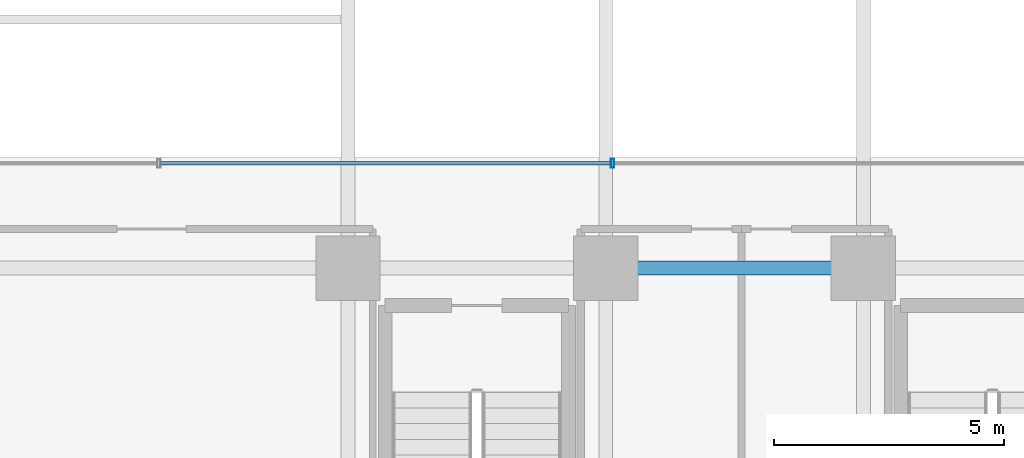
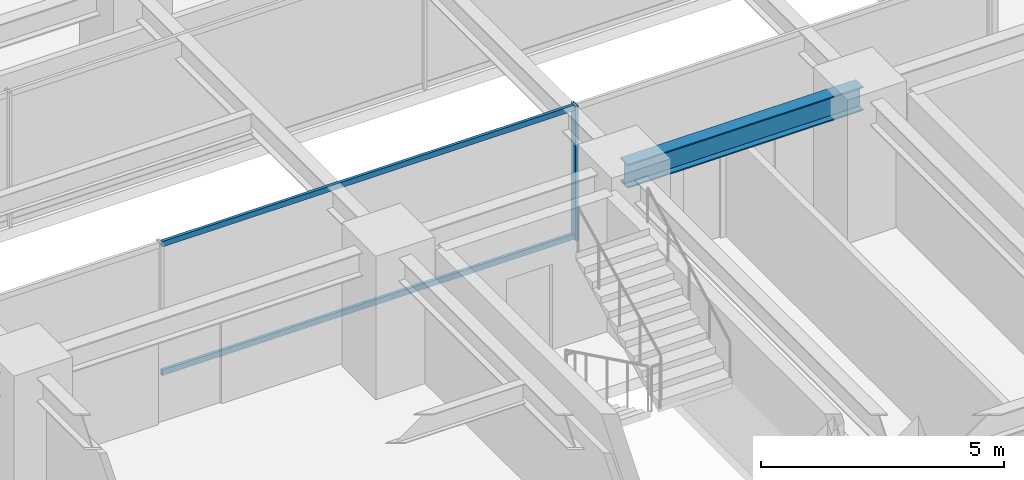
# One storey, part 12 of 47: 3 members, 1 beam, 1 element without a shape of its own.
"""IFC4 building model written with IfcOpenShell, lengths in metres."""

from ifc_helpers import new_model, si_unit, direction, frame, origin, origin_2d, place, context, subcontext, project, spatial, hollow_rectangle, i_section, extrude, source, transform, mapped, material, material_profile, profile_set, type_object, element, aggregate, save


model = new_model("IFC4")

# Units and contexts
model_context = context("Model", 3, precision=1e-05, world=origin(), true_north=direction((0.0, 1.0)))
body_context = subcontext(model_context, "Body", "Model", "MODEL_VIEW")
ifc_project = project(units=[si_unit("LENGTHUNIT", "METRE"), si_unit("AREAUNIT", "SQUARE_METRE"), si_unit("VOLUMEUNIT", "CUBIC_METRE"), si_unit("PLANEANGLEUNIT", "RADIAN"), si_unit("MASSUNIT", "GRAM", prefix="KILO")], contexts=[model_context])

# Site, building, storey
site_placement = place(None, origin())
site = spatial("IfcSite", under=ifc_project, at=site_placement, CompositionType="ELEMENT")
building_placement = place(site_placement, origin())
building = spatial("IfcBuilding", under=site, at=building_placement, Name="Nahalor Promenade Grand Hotel", CompositionType="ELEMENT")
storey_placement = place(building_placement, frame((0.0, 0.0, 68.89990234375)))
storey = spatial("IfcBuildingStorey", under=building, at=storey_placement, Name="L16", CompositionType="ELEMENT", Elevation=68.89990234375)

# Beam
ifc_material_1 = material(Name="Steel S355JR", Category="steel")
ifc_material_profile_1 = material_profile(ifc_material_1, i_section(OverallWidth=0.3, OverallDepth=0.6, WebThickness=0.0155, FlangeThickness=0.03, at=origin_2d()), Name="HEB 600")
ifc_profile_set_1 = profile_set([ifc_material_profile_1], Name="Steel S355JR")
beam_type = type_object("IfcBeamType", Name="Beam-Girder-HEB600", PredefinedType="BEAM", material=ifc_profile_set_1)
shared_shape_1 = source(origin(), body_context, "Body", "SweptSolid", [
    extrude(i_section(OverallWidth=0.3, OverallDepth=0.6, WebThickness=0.0155, FlangeThickness=0.03, at=origin_2d()), origin(), (0.0, 0.0, 1.0), 5.60009765625),
])
beam_placement = place(storey_placement, frame((-2.800048828125, -5.39990234375, 3.070068359375), z_axis=(1.0, 0.0, 0.0), x_axis=(0.0, 1.0, 0.0)))
element("IfcBeam", 1, at=beam_placement, inside=storey, type_object=beam_type, Name="BM-L16-GX-1-3", PredefinedType="BEAM", context=body_context, shape_type="MappedRepresentation", body=[
    mapped(shared_shape_1, transform((0.0, 0.0, 0.0), scale=1.0)),
])

# Curtain wall, members
ifc_material_2 = material(Name="Anodised Bronze Aluminium EN AW-6063 T6", Category="aluminium")
curtain_wall_type = type_object("IfcCurtainWallType", Name="CW3 Elliptical-Void Collar Unitised Curtain Wall", PredefinedType="USERDEFINED", material=ifc_material_2)
curtain_wall_placement = place(storey_placement, origin())
curtain_wall = element("IfcCurtainWall", 2, at=curtain_wall_placement, inside=storey, type_object=curtain_wall_type, Name="L16 Curtain Wall CW-L16-VOID-WS1", ObjectType="UNITISED_CURTAIN_WALL", PredefinedType="USERDEFINED")
ifc_material_profile_2 = material_profile(ifc_material_2, hollow_rectangle(XDim=0.07, YDim=0.14, WallThickness=0.004, at=origin_2d()), Name="CWT 70x140x4")
ifc_profile_set_2 = profile_set([ifc_material_profile_2], Name="Anodised Bronze Aluminium EN AW-6063 T6")
member_type_1 = type_object("IfcMemberType", Name="CWT3 Void Collar Transom 70x140", PredefinedType="USERDEFINED", material=ifc_profile_set_2)
shared_shape_2 = source(origin(), body_context, "Body", "SweptSolid", [
    extrude(hollow_rectangle(XDim=0.07, YDim=0.14, WallThickness=0.004, at=origin_2d()), origin(), (0.0, 0.0, 1.0), 9.783447265625),
])
member_1_placement = place(storey_placement, frame((-12.4716796875, -3.118896484375, 0.070068359375), z_axis=(1.0, 0.0, 0.0), x_axis=(0.0, 1.0, 0.0)))
member_1 = element("IfcMember", 3, at=member_1_placement, type_object=member_type_1, Name="CW-L16-VOID-WS1 Transom 1-0", ObjectType="TRANSOM", PredefinedType="USERDEFINED", context=body_context, shape_type="MappedRepresentation", body=[
    mapped(shared_shape_2, transform((0.0, 0.0, 0.0), scale=1.0)),
])
member_2_placement = place(storey_placement, frame((-12.4716796875, -3.118896484375, 3.300048828125), z_axis=(1.0, 0.0, 0.0), x_axis=(0.0, 1.0, 0.0)))
member_2 = element("IfcMember", 4, at=member_2_placement, type_object=member_type_1, Name="CW-L16-VOID-WS1 Transom 1-1", ObjectType="TRANSOM", PredefinedType="USERDEFINED", context=body_context, shape_type="MappedRepresentation", body=[
    mapped(shared_shape_2, transform((0.0, 0.0, 0.0), scale=1.0)),
])
ifc_material_profile_3 = material_profile(ifc_material_2, hollow_rectangle(XDim=0.07, YDim=0.2, WallThickness=0.005, at=origin_2d()), Name="CWM 70x200x5")
ifc_profile_set_3 = profile_set([ifc_material_profile_3], Name="Anodised Bronze Aluminium EN AW-6063 T6")
member_type_2 = type_object("IfcMemberType", Name="CWM3 Void Collar Mullion 70x200", PredefinedType="MULLION", material=ifc_profile_set_3)
shared_shape_3 = source(origin(), body_context, "Body", "SweptSolid", [
    extrude(hollow_rectangle(XDim=0.07, YDim=0.2, WallThickness=0.005, at=origin_2d()), origin(), (0.0, 0.0, 1.0), 3.3701171875),
])
member_3_placement = place(storey_placement, frame((-2.6533203125, -3.118896484375, 0.0), z_axis=(0.0, 0.0, 1.0), x_axis=(1.0, 0.0, 0.0)))
member_3 = element("IfcMember", 5, at=member_3_placement, type_object=member_type_2, Name="CW-L16-VOID-WS1 Mullion 2", PredefinedType="MULLION", context=body_context, shape_type="MappedRepresentation", body=[
    mapped(shared_shape_3, transform((0.0, 0.0, 0.0), scale=1.0)),
])
aggregate(curtain_wall, [member_3, member_1, member_2])

save(model, "model.ifc")
